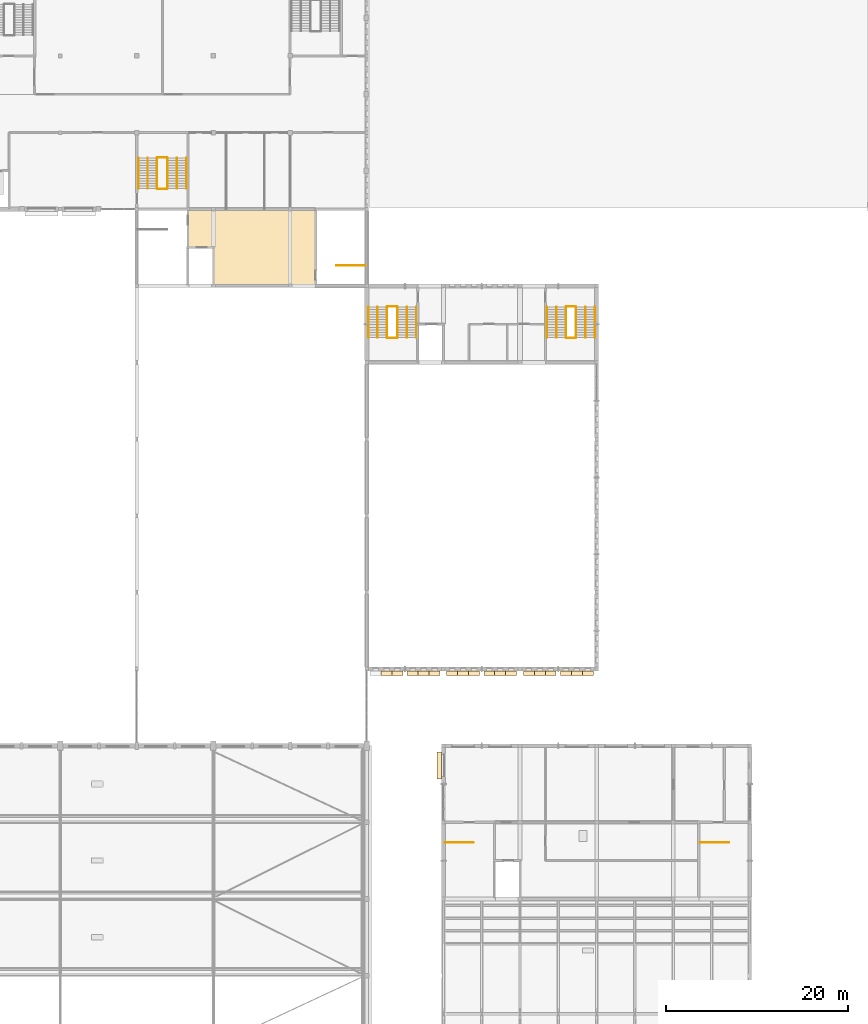
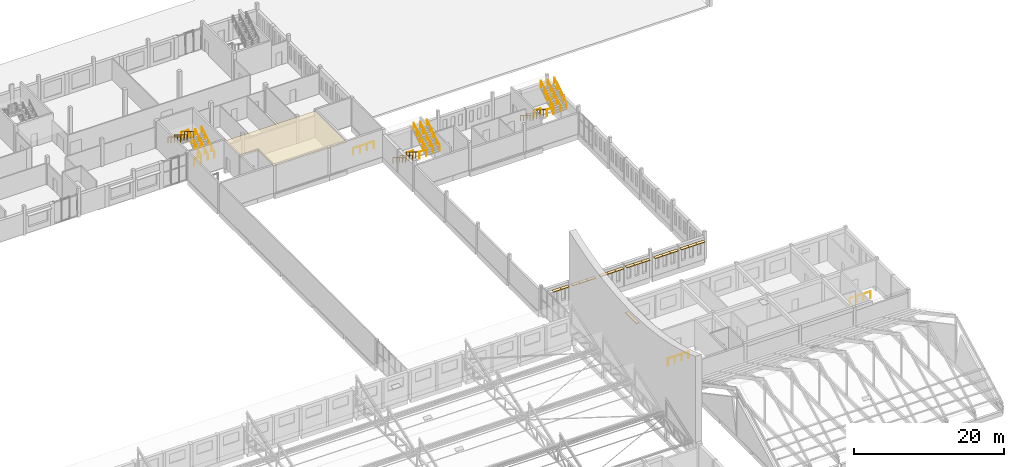
# One storey, part 98 of 101: 27 railings, 19 coverings.
"""IFC4 building model written with IfcOpenShell, lengths in metres."""

from ifc_helpers import new_model, si_unit, direction, frame, origin, origin_2d, place, context, subcontext, project, spatial, polyline, rectangle, circle, outline, extrude, material, layer, layer_set, type_object, element, save


model = new_model("IFC4")

# Units and contexts
model_context = context("Model", 3, precision=1e-05, world=origin(), true_north=direction((0.0, 1.0)))
body_context = subcontext(model_context, "Body", "Model", "MODEL_VIEW")
ifc_project = project(units=[si_unit("LENGTHUNIT", "METRE"), si_unit("AREAUNIT", "SQUARE_METRE"), si_unit("VOLUMEUNIT", "CUBIC_METRE"), si_unit("PLANEANGLEUNIT", "RADIAN"), si_unit("MASSUNIT", "GRAM", prefix="KILO")], contexts=[model_context])

# Site, building, storey
site_placement = place(None, origin())
site = spatial("IfcSite", under=ifc_project, at=site_placement, CompositionType="ELEMENT")
building_placement = place(site_placement, origin())
building = spatial("IfcBuilding", under=site, at=building_placement, Name="Fescue Hill Polytechnic", CompositionType="ELEMENT")
storey_placement = place(building_placement, frame((0.0, 0.0, 9.0)))
storey = spatial("IfcBuildingStorey", under=building, at=storey_placement, Name="L02", CompositionType="ELEMENT", Elevation=9.0)

# Coverings
ifc_material_1 = material(Name="Precast concrete C40/50", Category="concrete")
ifc_layer = layer(ifc_material_1, 0.080078125)
ifc_layer_set = layer_set([ifc_layer], Name="Precast concrete C40/50")
covering_type = type_object("IfcCoveringType", Name="Shade blade precast 500x80", PredefinedType="CLADDING", material=ifc_layer_set)
covering_1_placement = place(storey_placement, frame((125.5400390625, 48.22998046875, 2.75), z_axis=(0.0, 0.0, 1.0), x_axis=(0.0, -1.0, 0.0)))
element("IfcCovering", 1, at=covering_1_placement, inside=storey, type_object=covering_type, Name="SB-L02-V3-1", PredefinedType="CLADDING", context=body_context, shape_type="SweptSolid", body=[
    extrude(rectangle(XDim=3.0, YDim=0.5, at=origin_2d()), origin(), (0.0, 0.0, 1.0), 0.080078125),
])
for number, where, z_axis, x_axis, name in (
    (2, (119.77001953125, 58.324951171875, 3.14990234375), (0.0, 0.0, 1.0), (1.0, 0.0, 0.0), "SB-L02-V2-2"),
    (3, (120.969970703125, 58.324951171875, 3.14990234375), (0.0, 0.0, 1.0), (1.0, 0.0, 0.0), "SB-L02-V2-3"),
    (4, (122.6298828125, 58.324951171875, 3.14990234375), (0.0, 0.0, 1.0), (1.0, 0.0, 0.0), "SB-L02-V2-4"),
    (5, (123.830078125, 58.324951171875, 3.14990234375), (0.0, 0.0, 1.0), (1.0, 0.0, 0.0), "SB-L02-V2-5"),
    (6, (125.030029296875, 58.324951171875, 3.14990234375), (0.0, 0.0, 1.0), (1.0, 0.0, 0.0), "SB-L02-V2-6"),
    (7, (126.969970703125, 58.324951171875, 3.14990234375), (0.0, 0.0, 1.0), (1.0, 0.0, 0.0), "SB-L02-V2-7"),
    (8, (128.169921875, 58.324951171875, 3.14990234375), (0.0, 0.0, 1.0), (1.0, 0.0, 0.0), "SB-L02-V2-8"),
    (9, (129.3701171875, 58.324951171875, 3.14990234375), (0.0, 0.0, 1.0), (1.0, 0.0, 0.0), "SB-L02-V2-9"),
    (10, (131.030029296875, 58.324951171875, 3.14990234375), (0.0, 0.0, 1.0), (1.0, 0.0, 0.0), "SB-L02-V2-10"),
    (11, (132.22998046875, 58.324951171875, 3.14990234375), (0.0, 0.0, 1.0), (1.0, 0.0, 0.0), "SB-L02-V2-11"),
    (12, (133.429931640625, 58.324951171875, 3.14990234375), (0.0, 0.0, 1.0), (1.0, 0.0, 0.0), "SB-L02-V2-12"),
    (13, (135.3701171875, 58.324951171875, 3.14990234375), (0.0, 0.0, 1.0), (1.0, 0.0, 0.0), "SB-L02-V2-13"),
    (14, (136.570068359375, 58.324951171875, 3.14990234375), (0.0, 0.0, 1.0), (1.0, 0.0, 0.0), "SB-L02-V2-14"),
    (15, (137.77001953125, 58.324951171875, 3.14990234375), (0.0, 0.0, 1.0), (1.0, 0.0, 0.0), "SB-L02-V2-15"),
    (16, (139.429931640625, 58.324951171875, 3.14990234375), (0.0, 0.0, 1.0), (1.0, 0.0, 0.0), "SB-L02-V2-16"),
    (17, (140.6298828125, 58.324951171875, 3.14990234375), (0.0, 0.0, 1.0), (1.0, 0.0, 0.0), "SB-L02-V2-17"),
    (18, (141.830078125, 58.324951171875, 3.14990234375), (0.0, 0.0, 1.0), (1.0, 0.0, 0.0), "SB-L02-V2-18"),
):
    element("IfcCovering", number, at=place(storey_placement, frame(where, z_axis=z_axis, x_axis=x_axis)), inside=storey, type_object=covering_type, Name=name, PredefinedType="CLADDING", context=body_context, shape_type="SweptSolid", body=[
        extrude(rectangle(XDim=1.199951171875, YDim=0.5, at=origin_2d()), origin(), (0.0, 0.0, 1.0), 0.080078125),
    ])

# Railings
ifc_material_2 = material(Name="Steel 350W (350 MPa)", Category="steel")
railing_type_1 = type_object("IfcRailingType", Name="Stair guard steel 1100", PredefinedType="GUARDRAIL", material=ifc_material_2)
for number, where, name in (
    (19, (126.14990234375, 39.77490234375, 0.0), "L02 ST-V3-1 well guard 1"),
    (20, (154.125, 39.77490234375, 0.0), "L02 ST-V3-2 well guard 1"),
):
    element("IfcRailing", number, at=place(storey_placement, frame(where)), inside=storey, type_object=railing_type_1, Name=name, PredefinedType="GUARDRAIL", context=body_context, shape_type="SweptSolid", body=[
        extrude(circle(Radius=0.02392578125, at=origin_2d()), frame((0.0, 0.0, 1.076171875), z_axis=(1.0, 0.0, 0.0), x_axis=(0.0, 1.0, 0.0)), (0.0, 0.0, 1.0), 3.175048828125),
        extrude(circle(Radius=0.02099609375, at=origin_2d()), origin(), (0.0, 0.0, 1.0), 1.052001953125),
        extrude(circle(Radius=0.02099609375, at=origin_2d()), frame((1.058349609375, 0.0, 0.0)), (0.0, 0.0, 1.0), 1.052001953125),
        extrude(circle(Radius=0.02099609375, at=origin_2d()), frame((2.11669921875, 0.0, 0.0)), (0.0, 0.0, 1.0), 1.052001953125),
        extrude(circle(Radius=0.02099609375, at=origin_2d()), frame((3.175048828125, 0.0, 0.0)), (0.0, 0.0, 1.0), 1.052001953125),
    ])
railing_1_placement = place(storey_placement, frame((119.824951171875, 98.5, 0.173095703125)))
element("IfcRailing", 21, at=railing_1_placement, inside=storey, type_object=railing_type_1, Name="L02 ST-V2-1 stair guard 1", PredefinedType="GUARDRAIL", context=body_context, shape_type="SweptSolid", body=[
    extrude(circle(Radius=0.02392578125, at=origin_2d()), frame((0.0, 0.0, 1.076171875), z_axis=(0.0, -0.850623216509, 0.525775754039), x_axis=(1.0, 0.0, 0.0)), (0.0, 0.0, 1.0), 3.9501953125),
    extrude(circle(Radius=0.02099609375, at=origin_2d()), origin(), (0.0, 0.0, 1.0), 1.052001953125),
    extrude(circle(Radius=0.02099609375, at=origin_2d()), frame((0.0, -0.840087890625, 0.519287109375)), (0.0, 0.0, 1.0), 1.052001953125),
    extrude(circle(Radius=0.02099609375, at=origin_2d()), frame((0.0, -1.68017578125, 1.03857421875)), (0.0, 0.0, 1.0), 1.052001953125),
    extrude(circle(Radius=0.02099609375, at=origin_2d()), frame((0.0, -2.52001953125, 1.5576171875)), (0.0, 0.0, 1.0), 1.052001953125),
    extrude(circle(Radius=0.02099609375, at=origin_2d()), frame((0.0, -3.360107421875, 2.076904296875)), (0.0, 0.0, 1.0), 1.052001953125),
])
railing_2_placement = place(storey_placement, frame((119.875, 95.090087890625, 2.25)))
element("IfcRailing", 22, at=railing_2_placement, inside=storey, type_object=railing_type_1, Name="L02 ST-V2-1 stair guard 2", PredefinedType="GUARDRAIL", context=body_context, shape_type="SweptSolid", body=[
    extrude(circle(Radius=0.02392578125, at=origin_2d()), frame((0.0, 0.0, 1.076171875), z_axis=(1.0, 0.0, 0.0), x_axis=(0.0, 1.0, 0.0)), (0.0, 0.0, 1.0), 1.050048828125),
    extrude(circle(Radius=0.02099609375, at=origin_2d()), origin(), (0.0, 0.0, 1.0), 1.052001953125),
    extrude(circle(Radius=0.02099609375, at=origin_2d()), frame((1.050048828125, 0.0, 0.0)), (0.0, 0.0, 1.0), 1.052001953125),
])
railing_3_placement = place(storey_placement, frame((120.97509765625, 95.139892578125, 2.423095703125)))
element("IfcRailing", 23, at=railing_3_placement, inside=storey, type_object=railing_type_1, Name="L02 ST-V2-1 stair guard 3", PredefinedType="GUARDRAIL", context=body_context, shape_type="SweptSolid", body=[
    extrude(circle(Radius=0.02392578125, at=origin_2d()), frame((0.0, 0.0, 1.076171875), z_axis=(0.0, 0.850623216509, 0.525775754039), x_axis=(-1.0, 0.0, 0.0)), (0.0, 0.0, 1.0), 3.9501953125),
    extrude(circle(Radius=0.02099609375, at=origin_2d()), origin(), (0.0, 0.0, 1.0), 1.052001953125),
    extrude(circle(Radius=0.02099609375, at=origin_2d()), frame((0.0, 0.840087890625, 0.519287109375)), (0.0, 0.0, 1.0), 1.052001953125),
    extrude(circle(Radius=0.02099609375, at=origin_2d()), frame((0.0, 1.68017578125, 1.03857421875)), (0.0, 0.0, 1.0), 1.052001953125),
    extrude(circle(Radius=0.02099609375, at=origin_2d()), frame((0.0, 2.52001953125, 1.5576171875)), (0.0, 0.0, 1.0), 1.052001953125),
    extrude(circle(Radius=0.02099609375, at=origin_2d()), frame((0.0, 3.360107421875, 2.076904296875)), (0.0, 0.0, 1.0), 1.052001953125),
])
railing_4_placement = place(storey_placement, frame((119.875, 98.550048828125, 0.0)))
element("IfcRailing", 24, at=railing_4_placement, inside=storey, type_object=railing_type_1, Name="L02 ST-V2-1 stair guard 4", PredefinedType="GUARDRAIL", context=body_context, shape_type="SweptSolid", body=[
    extrude(circle(Radius=0.02392578125, at=origin_2d()), frame((0.0, 0.0, 1.076171875), z_axis=(1.0, 0.0, 0.0), x_axis=(0.0, 1.0, 0.0)), (0.0, 0.0, 1.0), 1.050048828125),
    extrude(circle(Radius=0.02099609375, at=origin_2d()), origin(), (0.0, 0.0, 1.0), 1.052001953125),
    extrude(circle(Radius=0.02099609375, at=origin_2d()), frame((1.050048828125, 0.0, 0.0)), (0.0, 0.0, 1.0), 1.052001953125),
])
railing_5_placement = place(storey_placement, frame((139.425048828125, 98.5, 0.173095703125)))
element("IfcRailing", 25, at=railing_5_placement, inside=storey, type_object=railing_type_1, Name="L02 ST-V2-2 stair guard 1", PredefinedType="GUARDRAIL", context=body_context, shape_type="SweptSolid", body=[
    extrude(circle(Radius=0.02392578125, at=origin_2d()), frame((0.0, 0.0, 1.076171875), z_axis=(0.0, -0.850623216509, 0.525775754039), x_axis=(1.0, 0.0, 0.0)), (0.0, 0.0, 1.0), 3.9501953125),
    extrude(circle(Radius=0.02099609375, at=origin_2d()), origin(), (0.0, 0.0, 1.0), 1.052001953125),
    extrude(circle(Radius=0.02099609375, at=origin_2d()), frame((0.0, -0.840087890625, 0.519287109375)), (0.0, 0.0, 1.0), 1.052001953125),
    extrude(circle(Radius=0.02099609375, at=origin_2d()), frame((0.0, -1.68017578125, 1.03857421875)), (0.0, 0.0, 1.0), 1.052001953125),
    extrude(circle(Radius=0.02099609375, at=origin_2d()), frame((0.0, -2.52001953125, 1.5576171875)), (0.0, 0.0, 1.0), 1.052001953125),
    extrude(circle(Radius=0.02099609375, at=origin_2d()), frame((0.0, -3.360107421875, 2.076904296875)), (0.0, 0.0, 1.0), 1.052001953125),
])
railing_6_placement = place(storey_placement, frame((139.47509765625, 95.090087890625, 2.25)))
element("IfcRailing", 26, at=railing_6_placement, inside=storey, type_object=railing_type_1, Name="L02 ST-V2-2 stair guard 2", PredefinedType="GUARDRAIL", context=body_context, shape_type="SweptSolid", body=[
    extrude(circle(Radius=0.02392578125, at=origin_2d()), frame((0.0, 0.0, 1.076171875), z_axis=(1.0, 0.0, 0.0), x_axis=(0.0, 1.0, 0.0)), (0.0, 0.0, 1.0), 1.02490234375),
    extrude(circle(Radius=0.02099609375, at=origin_2d()), origin(), (0.0, 0.0, 1.0), 1.052001953125),
    extrude(circle(Radius=0.02099609375, at=origin_2d()), frame((1.02490234375, 0.0, 0.0)), (0.0, 0.0, 1.0), 1.052001953125),
])
railing_7_placement = place(storey_placement, frame((140.550048828125, 95.139892578125, 2.423095703125)))
element("IfcRailing", 27, at=railing_7_placement, inside=storey, type_object=railing_type_1, Name="L02 ST-V2-2 stair guard 3", PredefinedType="GUARDRAIL", context=body_context, shape_type="SweptSolid", body=[
    extrude(circle(Radius=0.02392578125, at=origin_2d()), frame((0.0, 0.0, 1.076171875), z_axis=(0.0, 0.850623216509, 0.525775754039), x_axis=(-1.0, 0.0, 0.0)), (0.0, 0.0, 1.0), 3.9501953125),
    extrude(circle(Radius=0.02099609375, at=origin_2d()), origin(), (0.0, 0.0, 1.0), 1.052001953125),
    extrude(circle(Radius=0.02099609375, at=origin_2d()), frame((0.0, 0.840087890625, 0.519287109375)), (0.0, 0.0, 1.0), 1.052001953125),
    extrude(circle(Radius=0.02099609375, at=origin_2d()), frame((0.0, 1.68017578125, 1.03857421875)), (0.0, 0.0, 1.0), 1.052001953125),
    extrude(circle(Radius=0.02099609375, at=origin_2d()), frame((0.0, 2.52001953125, 1.5576171875)), (0.0, 0.0, 1.0), 1.052001953125),
    extrude(circle(Radius=0.02099609375, at=origin_2d()), frame((0.0, 3.360107421875, 2.076904296875)), (0.0, 0.0, 1.0), 1.052001953125),
])
railing_8_placement = place(storey_placement, frame((139.47509765625, 98.550048828125, 0.0)))
element("IfcRailing", 28, at=railing_8_placement, inside=storey, type_object=railing_type_1, Name="L02 ST-V2-2 stair guard 4", PredefinedType="GUARDRAIL", context=body_context, shape_type="SweptSolid", body=[
    extrude(circle(Radius=0.02392578125, at=origin_2d()), frame((0.0, 0.0, 1.076171875), z_axis=(1.0, 0.0, 0.0), x_axis=(0.0, 1.0, 0.0)), (0.0, 0.0, 1.0), 1.02490234375),
    extrude(circle(Radius=0.02099609375, at=origin_2d()), origin(), (0.0, 0.0, 1.0), 1.052001953125),
    extrude(circle(Radius=0.02099609375, at=origin_2d()), frame((1.02490234375, 0.0, 0.0)), (0.0, 0.0, 1.0), 1.052001953125),
])
railing_9_placement = place(storey_placement, frame((95.77490234375, 111.47509765625, 0.173095703125)))
element("IfcRailing", 29, at=railing_9_placement, inside=storey, type_object=railing_type_1, Name="L02 ST-V4b-3 stair guard 1", PredefinedType="GUARDRAIL", context=body_context, shape_type="SweptSolid", body=[
    extrude(circle(Radius=0.02392578125, at=origin_2d()), frame((0.0, 0.0, 1.076171875), z_axis=(0.0, 0.850606129759, 0.525803396734), x_axis=(-1.0, 0.0, 0.0)), (0.0, 0.0, 1.0), 3.949951171875),
    extrude(circle(Radius=0.02099609375, at=origin_2d()), origin(), (0.0, 0.0, 1.0), 1.052001953125),
    extrude(circle(Radius=0.02099609375, at=origin_2d()), frame((0.0, 0.83984375, 0.519287109375)), (0.0, 0.0, 1.0), 1.052001953125),
    extrude(circle(Radius=0.02099609375, at=origin_2d()), frame((0.0, 1.679931640625, 1.03857421875)), (0.0, 0.0, 1.0), 1.052001953125),
    extrude(circle(Radius=0.02099609375, at=origin_2d()), frame((0.0, 2.52001953125, 1.5576171875)), (0.0, 0.0, 1.0), 1.052001953125),
    extrude(circle(Radius=0.02099609375, at=origin_2d()), frame((0.0, 3.35986328125, 2.076904296875)), (0.0, 0.0, 1.0), 1.052001953125),
])
railing_10_placement = place(storey_placement, frame((95.72509765625, 114.885009765625, 2.25)))
element("IfcRailing", 30, at=railing_10_placement, inside=storey, type_object=railing_type_1, Name="L02 ST-V4b-3 stair guard 2", PredefinedType="GUARDRAIL", context=body_context, shape_type="SweptSolid", body=[
    extrude(circle(Radius=0.02392578125, at=origin_2d()), frame((0.0, 0.0, 1.076171875), z_axis=(-1.0, 0.0, 0.0), x_axis=(0.0, -1.0, 0.0)), (0.0, 0.0, 1.0), 1.050048828125),
    extrude(circle(Radius=0.02099609375, at=origin_2d()), origin(), (0.0, 0.0, 1.0), 1.052001953125),
    extrude(circle(Radius=0.02099609375, at=origin_2d()), frame((-1.050048828125, 0.0, 0.0)), (0.0, 0.0, 1.0), 1.052001953125),
])
railing_11_placement = place(storey_placement, frame((94.625, 114.8349609375, 2.423095703125)))
element("IfcRailing", 31, at=railing_11_placement, inside=storey, type_object=railing_type_1, Name="L02 ST-V4b-3 stair guard 3", PredefinedType="GUARDRAIL", context=body_context, shape_type="SweptSolid", body=[
    extrude(circle(Radius=0.02392578125, at=origin_2d()), frame((0.0, 0.0, 1.076171875), z_axis=(0.0, -0.850606129759, 0.525803396734), x_axis=(1.0, 0.0, 0.0)), (0.0, 0.0, 1.0), 3.949951171875),
    extrude(circle(Radius=0.02099609375, at=origin_2d()), origin(), (0.0, 0.0, 1.0), 1.052001953125),
    extrude(circle(Radius=0.02099609375, at=origin_2d()), frame((0.0, -0.83984375, 0.519287109375)), (0.0, 0.0, 1.0), 1.052001953125),
    extrude(circle(Radius=0.02099609375, at=origin_2d()), frame((0.0, -1.679931640625, 1.03857421875)), (0.0, 0.0, 1.0), 1.052001953125),
    extrude(circle(Radius=0.02099609375, at=origin_2d()), frame((0.0, -2.52001953125, 1.5576171875)), (0.0, 0.0, 1.0), 1.052001953125),
    extrude(circle(Radius=0.02099609375, at=origin_2d()), frame((0.0, -3.35986328125, 2.076904296875)), (0.0, 0.0, 1.0), 1.052001953125),
])
railing_12_placement = place(storey_placement, frame((95.72509765625, 111.425048828125, 0.0)))
element("IfcRailing", 32, at=railing_12_placement, inside=storey, type_object=railing_type_1, Name="L02 ST-V4b-3 stair guard 4", PredefinedType="GUARDRAIL", context=body_context, shape_type="SweptSolid", body=[
    extrude(circle(Radius=0.02392578125, at=origin_2d()), frame((0.0, 0.0, 1.076171875), z_axis=(-1.0, 0.0, 0.0), x_axis=(0.0, -1.0, 0.0)), (0.0, 0.0, 1.0), 1.050048828125),
    extrude(circle(Radius=0.02099609375, at=origin_2d()), origin(), (0.0, 0.0, 1.0), 1.052001953125),
    extrude(circle(Radius=0.02099609375, at=origin_2d()), frame((-1.050048828125, 0.0, 0.0)), (0.0, 0.0, 1.0), 1.052001953125),
])
railing_13_placement = place(storey_placement, frame((117.449951171875, 103.02490234375, 0.0)))
element("IfcRailing", 33, at=railing_13_placement, inside=storey, type_object=railing_type_1, Name="L02 ST-V6-2 well guard 1", PredefinedType="GUARDRAIL", context=body_context, shape_type="SweptSolid", body=[
    extrude(circle(Radius=0.02392578125, at=origin_2d()), frame((0.0, 0.0, 1.076171875), z_axis=(-1.0, 0.0, 0.0), x_axis=(0.0, -1.0, 0.0)), (0.0, 0.0, 1.0), 3.175048828125),
    extrude(circle(Radius=0.02099609375, at=origin_2d()), origin(), (0.0, 0.0, 1.0), 1.052001953125),
    extrude(circle(Radius=0.02099609375, at=origin_2d()), frame((-1.058349609375, 0.0, 0.0)), (0.0, 0.0, 1.0), 1.052001953125),
    extrude(circle(Radius=0.02099609375, at=origin_2d()), frame((-2.11669921875, 0.0, 0.0)), (0.0, 0.0, 1.0), 1.052001953125),
    extrude(circle(Radius=0.02099609375, at=origin_2d()), frame((-3.175048828125, 0.0, 0.0)), (0.0, 0.0, 1.0), 1.052001953125),
])
railing_type_2 = type_object("IfcRailingType", Name="Stair handrail steel 900", PredefinedType="HANDRAIL", material=ifc_material_2)
railing_14_placement = place(storey_placement, frame((117.77490234375, 98.5, 0.173095703125)))
element("IfcRailing", 34, at=railing_14_placement, inside=storey, type_object=railing_type_2, Name="L02 ST-V2-1 stair handrail 1", PredefinedType="HANDRAIL", context=body_context, shape_type="SweptSolid", body=[
    extrude(circle(Radius=0.02392578125, at=origin_2d()), frame((0.0, 0.0, 0.8759765625), z_axis=(0.0, -0.850623216509, 0.525775754039), x_axis=(1.0, 0.0, 0.0)), (0.0, 0.0, 1.0), 3.9501953125),
    extrude(circle(Radius=0.02099609375, at=origin_2d()), origin(), (0.0, 0.0, 1.0), 0.851806640625),
    extrude(circle(Radius=0.02099609375, at=origin_2d()), frame((0.0, -0.840087890625, 0.519287109375)), (0.0, 0.0, 1.0), 0.851806640625),
    extrude(circle(Radius=0.02099609375, at=origin_2d()), frame((0.0, -1.68017578125, 1.03857421875)), (0.0, 0.0, 1.0), 0.851806640625),
    extrude(circle(Radius=0.02099609375, at=origin_2d()), frame((0.0, -2.52001953125, 1.5576171875)), (0.0, 0.0, 1.0), 0.851806640625),
    extrude(circle(Radius=0.02099609375, at=origin_2d()), frame((0.0, -3.360107421875, 2.076904296875)), (0.0, 0.0, 1.0), 0.851806640625),
])
railing_15_placement = place(storey_placement, frame((123.02490234375, 95.139892578125, 2.423095703125)))
element("IfcRailing", 35, at=railing_15_placement, inside=storey, type_object=railing_type_2, Name="L02 ST-V2-1 stair handrail 2", PredefinedType="HANDRAIL", context=body_context, shape_type="SweptSolid", body=[
    extrude(circle(Radius=0.02392578125, at=origin_2d()), frame((0.0, 0.0, 0.8759765625), z_axis=(0.0, 0.850623216509, 0.525775754039), x_axis=(-1.0, 0.0, 0.0)), (0.0, 0.0, 1.0), 3.9501953125),
    extrude(circle(Radius=0.02099609375, at=origin_2d()), origin(), (0.0, 0.0, 1.0), 0.851806640625),
    extrude(circle(Radius=0.02099609375, at=origin_2d()), frame((0.0, 0.840087890625, 0.519287109375)), (0.0, 0.0, 1.0), 0.851806640625),
    extrude(circle(Radius=0.02099609375, at=origin_2d()), frame((0.0, 1.68017578125, 1.03857421875)), (0.0, 0.0, 1.0), 0.851806640625),
    extrude(circle(Radius=0.02099609375, at=origin_2d()), frame((0.0, 2.52001953125, 1.5576171875)), (0.0, 0.0, 1.0), 0.851806640625),
    extrude(circle(Radius=0.02099609375, at=origin_2d()), frame((0.0, 3.360107421875, 2.076904296875)), (0.0, 0.0, 1.0), 0.851806640625),
])
railing_16_placement = place(storey_placement, frame((118.800048828125, 98.5, 0.173095703125)))
element("IfcRailing", 36, at=railing_16_placement, inside=storey, type_object=railing_type_2, Name="L02 ST-V2-1 stair handrail 3", PredefinedType="HANDRAIL", context=body_context, shape_type="SweptSolid", body=[
    extrude(circle(Radius=0.02392578125, at=origin_2d()), frame((0.0, 0.0, 0.8759765625), z_axis=(0.0, -0.850623216509, 0.525775754039), x_axis=(1.0, 0.0, 0.0)), (0.0, 0.0, 1.0), 3.9501953125),
    extrude(circle(Radius=0.02099609375, at=origin_2d()), origin(), (0.0, 0.0, 1.0), 0.851806640625),
    extrude(circle(Radius=0.02099609375, at=origin_2d()), frame((0.0, -0.840087890625, 0.519287109375)), (0.0, 0.0, 1.0), 0.851806640625),
    extrude(circle(Radius=0.02099609375, at=origin_2d()), frame((0.0, -1.68017578125, 1.03857421875)), (0.0, 0.0, 1.0), 0.851806640625),
    extrude(circle(Radius=0.02099609375, at=origin_2d()), frame((0.0, -2.52001953125, 1.5576171875)), (0.0, 0.0, 1.0), 0.851806640625),
    extrude(circle(Radius=0.02099609375, at=origin_2d()), frame((0.0, -3.360107421875, 2.076904296875)), (0.0, 0.0, 1.0), 0.851806640625),
])
railing_17_placement = place(storey_placement, frame((122.0, 95.139892578125, 2.423095703125)))
element("IfcRailing", 37, at=railing_17_placement, inside=storey, type_object=railing_type_2, Name="L02 ST-V2-1 stair handrail 4", PredefinedType="HANDRAIL", context=body_context, shape_type="SweptSolid", body=[
    extrude(circle(Radius=0.02392578125, at=origin_2d()), frame((0.0, 0.0, 0.8759765625), z_axis=(0.0, 0.850623216509, 0.525775754039), x_axis=(-1.0, 0.0, 0.0)), (0.0, 0.0, 1.0), 3.9501953125),
    extrude(circle(Radius=0.02099609375, at=origin_2d()), origin(), (0.0, 0.0, 1.0), 0.851806640625),
    extrude(circle(Radius=0.02099609375, at=origin_2d()), frame((0.0, 0.840087890625, 0.519287109375)), (0.0, 0.0, 1.0), 0.851806640625),
    extrude(circle(Radius=0.02099609375, at=origin_2d()), frame((0.0, 1.68017578125, 1.03857421875)), (0.0, 0.0, 1.0), 0.851806640625),
    extrude(circle(Radius=0.02099609375, at=origin_2d()), frame((0.0, 2.52001953125, 1.5576171875)), (0.0, 0.0, 1.0), 0.851806640625),
    extrude(circle(Radius=0.02099609375, at=origin_2d()), frame((0.0, 3.360107421875, 2.076904296875)), (0.0, 0.0, 1.0), 0.851806640625),
])
railing_18_placement = place(storey_placement, frame((137.375, 98.5, 0.173095703125)))
element("IfcRailing", 38, at=railing_18_placement, inside=storey, type_object=railing_type_2, Name="L02 ST-V2-2 stair handrail 1", PredefinedType="HANDRAIL", context=body_context, shape_type="SweptSolid", body=[
    extrude(circle(Radius=0.02392578125, at=origin_2d()), frame((0.0, 0.0, 0.8759765625), z_axis=(0.0, -0.850623216509, 0.525775754039), x_axis=(1.0, 0.0, 0.0)), (0.0, 0.0, 1.0), 3.9501953125),
    extrude(circle(Radius=0.02099609375, at=origin_2d()), origin(), (0.0, 0.0, 1.0), 0.851806640625),
    extrude(circle(Radius=0.02099609375, at=origin_2d()), frame((0.0, -0.840087890625, 0.519287109375)), (0.0, 0.0, 1.0), 0.851806640625),
    extrude(circle(Radius=0.02099609375, at=origin_2d()), frame((0.0, -1.68017578125, 1.03857421875)), (0.0, 0.0, 1.0), 0.851806640625),
    extrude(circle(Radius=0.02099609375, at=origin_2d()), frame((0.0, -2.52001953125, 1.5576171875)), (0.0, 0.0, 1.0), 0.851806640625),
    extrude(circle(Radius=0.02099609375, at=origin_2d()), frame((0.0, -3.360107421875, 2.076904296875)), (0.0, 0.0, 1.0), 0.851806640625),
])
railing_19_placement = place(storey_placement, frame((142.60009765625, 95.139892578125, 2.423095703125)))
element("IfcRailing", 39, at=railing_19_placement, inside=storey, type_object=railing_type_2, Name="L02 ST-V2-2 stair handrail 2", PredefinedType="HANDRAIL", context=body_context, shape_type="SweptSolid", body=[
    extrude(circle(Radius=0.02392578125, at=origin_2d()), frame((0.0, 0.0, 0.8759765625), z_axis=(0.0, 0.850623216509, 0.525775754039), x_axis=(-1.0, 0.0, 0.0)), (0.0, 0.0, 1.0), 3.9501953125),
    extrude(circle(Radius=0.02099609375, at=origin_2d()), origin(), (0.0, 0.0, 1.0), 0.851806640625),
    extrude(circle(Radius=0.02099609375, at=origin_2d()), frame((0.0, 0.840087890625, 0.519287109375)), (0.0, 0.0, 1.0), 0.851806640625),
    extrude(circle(Radius=0.02099609375, at=origin_2d()), frame((0.0, 1.68017578125, 1.03857421875)), (0.0, 0.0, 1.0), 0.851806640625),
    extrude(circle(Radius=0.02099609375, at=origin_2d()), frame((0.0, 2.52001953125, 1.5576171875)), (0.0, 0.0, 1.0), 0.851806640625),
    extrude(circle(Radius=0.02099609375, at=origin_2d()), frame((0.0, 3.360107421875, 2.076904296875)), (0.0, 0.0, 1.0), 0.851806640625),
])
railing_20_placement = place(storey_placement, frame((138.39990234375, 98.5, 0.173095703125)))
element("IfcRailing", 40, at=railing_20_placement, inside=storey, type_object=railing_type_2, Name="L02 ST-V2-2 stair handrail 3", PredefinedType="HANDRAIL", context=body_context, shape_type="SweptSolid", body=[
    extrude(circle(Radius=0.02392578125, at=origin_2d()), frame((0.0, 0.0, 0.8759765625), z_axis=(0.0, -0.850623216509, 0.525775754039), x_axis=(1.0, 0.0, 0.0)), (0.0, 0.0, 1.0), 3.9501953125),
    extrude(circle(Radius=0.02099609375, at=origin_2d()), origin(), (0.0, 0.0, 1.0), 0.851806640625),
    extrude(circle(Radius=0.02099609375, at=origin_2d()), frame((0.0, -0.840087890625, 0.519287109375)), (0.0, 0.0, 1.0), 0.851806640625),
    extrude(circle(Radius=0.02099609375, at=origin_2d()), frame((0.0, -1.68017578125, 1.03857421875)), (0.0, 0.0, 1.0), 0.851806640625),
    extrude(circle(Radius=0.02099609375, at=origin_2d()), frame((0.0, -2.52001953125, 1.5576171875)), (0.0, 0.0, 1.0), 0.851806640625),
    extrude(circle(Radius=0.02099609375, at=origin_2d()), frame((0.0, -3.360107421875, 2.076904296875)), (0.0, 0.0, 1.0), 0.851806640625),
])
railing_21_placement = place(storey_placement, frame((141.574951171875, 95.139892578125, 2.423095703125)))
element("IfcRailing", 41, at=railing_21_placement, inside=storey, type_object=railing_type_2, Name="L02 ST-V2-2 stair handrail 4", PredefinedType="HANDRAIL", context=body_context, shape_type="SweptSolid", body=[
    extrude(circle(Radius=0.02392578125, at=origin_2d()), frame((0.0, 0.0, 0.8759765625), z_axis=(0.0, 0.850623216509, 0.525775754039), x_axis=(-1.0, 0.0, 0.0)), (0.0, 0.0, 1.0), 3.9501953125),
    extrude(circle(Radius=0.02099609375, at=origin_2d()), origin(), (0.0, 0.0, 1.0), 0.851806640625),
    extrude(circle(Radius=0.02099609375, at=origin_2d()), frame((0.0, 0.840087890625, 0.519287109375)), (0.0, 0.0, 1.0), 0.851806640625),
    extrude(circle(Radius=0.02099609375, at=origin_2d()), frame((0.0, 1.68017578125, 1.03857421875)), (0.0, 0.0, 1.0), 0.851806640625),
    extrude(circle(Radius=0.02099609375, at=origin_2d()), frame((0.0, 2.52001953125, 1.5576171875)), (0.0, 0.0, 1.0), 0.851806640625),
    extrude(circle(Radius=0.02099609375, at=origin_2d()), frame((0.0, 3.360107421875, 2.076904296875)), (0.0, 0.0, 1.0), 0.851806640625),
])
railing_22_placement = place(storey_placement, frame((97.824951171875, 111.47509765625, 0.173095703125)))
element("IfcRailing", 42, at=railing_22_placement, inside=storey, type_object=railing_type_2, Name="L02 ST-V4b-3 stair handrail 1", PredefinedType="HANDRAIL", context=body_context, shape_type="SweptSolid", body=[
    extrude(circle(Radius=0.02392578125, at=origin_2d()), frame((0.0, 0.0, 0.8759765625), z_axis=(0.0, 0.850606129759, 0.525803396734), x_axis=(-1.0, 0.0, 0.0)), (0.0, 0.0, 1.0), 3.949951171875),
    extrude(circle(Radius=0.02099609375, at=origin_2d()), origin(), (0.0, 0.0, 1.0), 0.851806640625),
    extrude(circle(Radius=0.02099609375, at=origin_2d()), frame((0.0, 0.83984375, 0.519287109375)), (0.0, 0.0, 1.0), 0.851806640625),
    extrude(circle(Radius=0.02099609375, at=origin_2d()), frame((0.0, 1.679931640625, 1.03857421875)), (0.0, 0.0, 1.0), 0.851806640625),
    extrude(circle(Radius=0.02099609375, at=origin_2d()), frame((0.0, 2.52001953125, 1.5576171875)), (0.0, 0.0, 1.0), 0.851806640625),
    extrude(circle(Radius=0.02099609375, at=origin_2d()), frame((0.0, 3.35986328125, 2.076904296875)), (0.0, 0.0, 1.0), 0.851806640625),
])
railing_23_placement = place(storey_placement, frame((92.574951171875, 114.8349609375, 2.423095703125)))
element("IfcRailing", 43, at=railing_23_placement, inside=storey, type_object=railing_type_2, Name="L02 ST-V4b-3 stair handrail 2", PredefinedType="HANDRAIL", context=body_context, shape_type="SweptSolid", body=[
    extrude(circle(Radius=0.02392578125, at=origin_2d()), frame((0.0, 0.0, 0.8759765625), z_axis=(0.0, -0.850606129759, 0.525803396734), x_axis=(1.0, 0.0, 0.0)), (0.0, 0.0, 1.0), 3.949951171875),
    extrude(circle(Radius=0.02099609375, at=origin_2d()), origin(), (0.0, 0.0, 1.0), 0.851806640625),
    extrude(circle(Radius=0.02099609375, at=origin_2d()), frame((0.0, -0.83984375, 0.519287109375)), (0.0, 0.0, 1.0), 0.851806640625),
    extrude(circle(Radius=0.02099609375, at=origin_2d()), frame((0.0, -1.679931640625, 1.03857421875)), (0.0, 0.0, 1.0), 0.851806640625),
    extrude(circle(Radius=0.02099609375, at=origin_2d()), frame((0.0, -2.52001953125, 1.5576171875)), (0.0, 0.0, 1.0), 0.851806640625),
    extrude(circle(Radius=0.02099609375, at=origin_2d()), frame((0.0, -3.35986328125, 2.076904296875)), (0.0, 0.0, 1.0), 0.851806640625),
])
railing_24_placement = place(storey_placement, frame((96.800048828125, 111.47509765625, 0.173095703125)))
element("IfcRailing", 44, at=railing_24_placement, inside=storey, type_object=railing_type_2, Name="L02 ST-V4b-3 stair handrail 3", PredefinedType="HANDRAIL", context=body_context, shape_type="SweptSolid", body=[
    extrude(circle(Radius=0.02392578125, at=origin_2d()), frame((0.0, 0.0, 0.8759765625), z_axis=(0.0, 0.850606129759, 0.525803396734), x_axis=(-1.0, 0.0, 0.0)), (0.0, 0.0, 1.0), 3.949951171875),
    extrude(circle(Radius=0.02099609375, at=origin_2d()), origin(), (0.0, 0.0, 1.0), 0.851806640625),
    extrude(circle(Radius=0.02099609375, at=origin_2d()), frame((0.0, 0.83984375, 0.519287109375)), (0.0, 0.0, 1.0), 0.851806640625),
    extrude(circle(Radius=0.02099609375, at=origin_2d()), frame((0.0, 1.679931640625, 1.03857421875)), (0.0, 0.0, 1.0), 0.851806640625),
    extrude(circle(Radius=0.02099609375, at=origin_2d()), frame((0.0, 2.52001953125, 1.5576171875)), (0.0, 0.0, 1.0), 0.851806640625),
    extrude(circle(Radius=0.02099609375, at=origin_2d()), frame((0.0, 3.35986328125, 2.076904296875)), (0.0, 0.0, 1.0), 0.851806640625),
])
railing_25_placement = place(storey_placement, frame((93.60009765625, 114.8349609375, 2.423095703125)))
element("IfcRailing", 45, at=railing_25_placement, inside=storey, type_object=railing_type_2, Name="L02 ST-V4b-3 stair handrail 4", PredefinedType="HANDRAIL", context=body_context, shape_type="SweptSolid", body=[
    extrude(circle(Radius=0.02392578125, at=origin_2d()), frame((0.0, 0.0, 0.8759765625), z_axis=(0.0, -0.850606129759, 0.525803396734), x_axis=(1.0, 0.0, 0.0)), (0.0, 0.0, 1.0), 3.949951171875),
    extrude(circle(Radius=0.02099609375, at=origin_2d()), origin(), (0.0, 0.0, 1.0), 0.851806640625),
    extrude(circle(Radius=0.02099609375, at=origin_2d()), frame((0.0, -0.83984375, 0.519287109375)), (0.0, 0.0, 1.0), 0.851806640625),
    extrude(circle(Radius=0.02099609375, at=origin_2d()), frame((0.0, -1.679931640625, 1.03857421875)), (0.0, 0.0, 1.0), 0.851806640625),
    extrude(circle(Radius=0.02099609375, at=origin_2d()), frame((0.0, -2.52001953125, 1.5576171875)), (0.0, 0.0, 1.0), 0.851806640625),
    extrude(circle(Radius=0.02099609375, at=origin_2d()), frame((0.0, -3.35986328125, 2.076904296875)), (0.0, 0.0, 1.0), 0.851806640625),
])

# Covering
covering_2_placement = place(storey_placement, frame((0.0, 0.0, 4.14990234375)))
element("IfcCovering", 46, at=covering_2_placement, inside=storey, Name="Ceiling Winter Garden Gallery Lobby 2.107", PredefinedType="CEILING", context=body_context, shape_type="SweptSolid", body=[
    extrude(outline(polyline([(112.0, 109.199951171875), (112.0, 100.800048828125), (100.800048828125, 100.800048828125), (100.800048828125, 105.0), (98.0, 105.0), (98.0, 109.199951171875), (112.0, 109.199951171875)])), origin(), (0.0, 0.0, 1.0), 0.0400390625),
])

save(model, "model.ifc")
